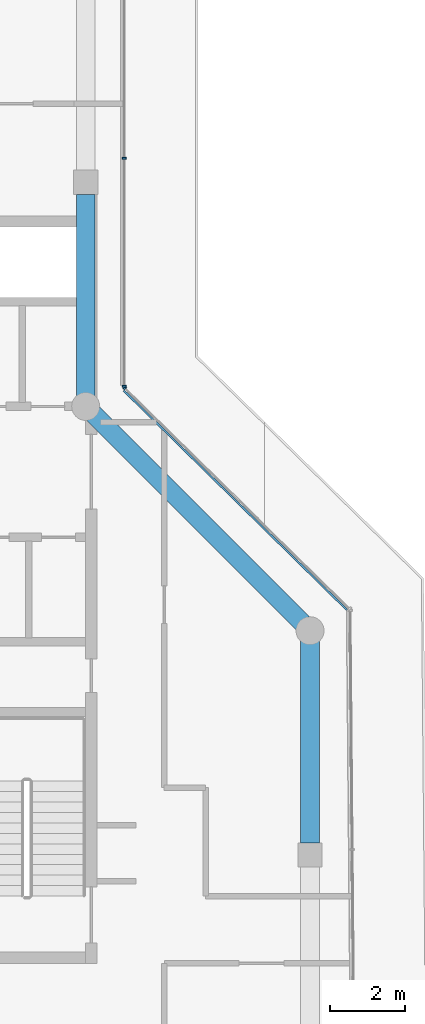
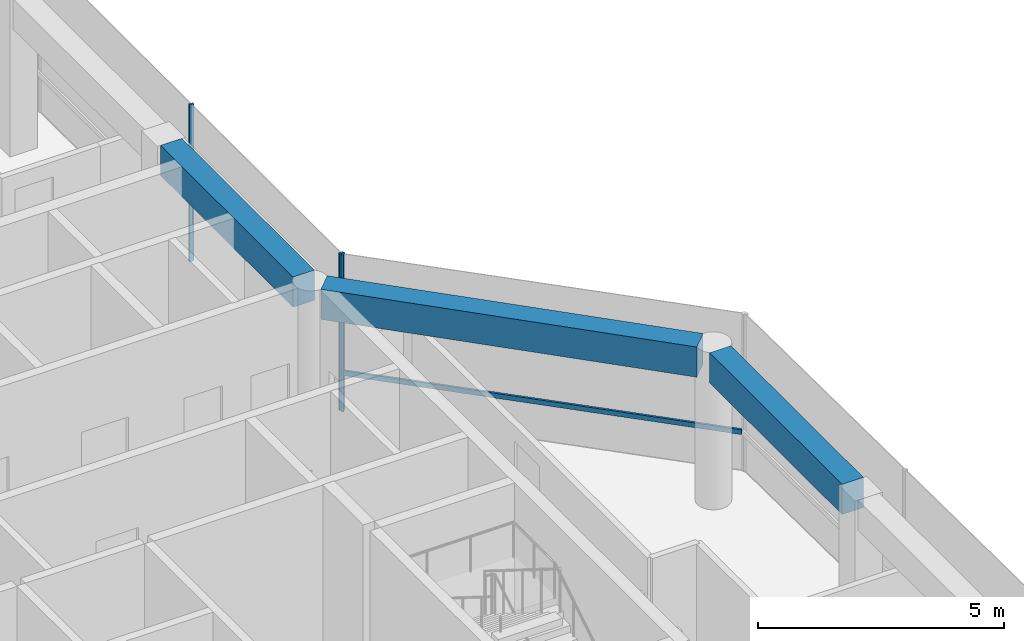
# One storey, part 6 of 21: 4 members, 3 beams, 2 elements without a shape of their own.
"""IFC4 building model written with IfcOpenShell, lengths in metres."""

from ifc_helpers import new_model, si_unit, direction, frame, origin, origin_2d, place, context, subcontext, project, spatial, rectangle, extrude, material, layer, layer_set, material_profile, profile_set, type_object, element, aggregate, save


model = new_model("IFC4")

# Units and contexts
model_context = context("Model", 3, precision=1e-05, world=origin(), true_north=direction((0.0, 1.0)))
body_context = subcontext(model_context, "Body", "Model", "MODEL_VIEW")
ifc_project = project(units=[si_unit("LENGTHUNIT", "METRE"), si_unit("AREAUNIT", "SQUARE_METRE"), si_unit("VOLUMEUNIT", "CUBIC_METRE"), si_unit("PLANEANGLEUNIT", "RADIAN"), si_unit("MASSUNIT", "GRAM", prefix="KILO")], contexts=[model_context])

# Site, building, storey
site_placement = place(None, origin())
site = spatial("IfcSite", under=ifc_project, at=site_placement, CompositionType="ELEMENT")
building_placement = place(site_placement, origin())
building = spatial("IfcBuilding", under=site, at=building_placement, Name="Welwitschia Terrace Campus", CompositionType="ELEMENT")
storey_placement = place(building_placement, frame((0.0, 0.0, 331.39990234375)))
storey = spatial("IfcBuildingStorey", under=building, at=storey_placement, Name="L74", CompositionType="ELEMENT", Elevation=331.39990234375)

# Curtain wall, member
ifc_material_1 = material(Name="Bronze anodised aluminium", Category="aluminium")
ifc_layer = layer(ifc_material_1, 0.10009765625)
ifc_layer_set = layer_set([ifc_layer], Name="Bronze anodised aluminium")
curtain_wall_type = type_object("IfcCurtainWallType", Name="Curtain wall CW5 crown 6000", PredefinedType="NOTDEFINED", material=ifc_layer_set)
curtain_wall_1_placement = place(storey_placement, origin())
curtain_wall_1 = element("IfcCurtainWall", 1, at=curtain_wall_1_placement, inside=storey, type_object=curtain_wall_type, Name="CW L74.6.0", PredefinedType="NOTDEFINED")
ifc_material_2 = material(Name="Bronze anodised aluminium", Category="aluminium")
ifc_material_profile_1 = material_profile(ifc_material_2, rectangle(XDim=0.10009765625, YDim=0.050048828125, at=origin_2d()))
ifc_profile_set_1 = profile_set([ifc_material_profile_1], Name="Bronze anodised aluminium")
member_type_1 = type_object("IfcMemberType", Name="Mullion 50x100", PredefinedType="MULLION", material=ifc_profile_set_1)
member_1_placement = place(storey_placement, frame((25.0478515625, 20.498046875, 0.0), z_axis=(0.0, 0.0, 1.0), x_axis=(-0.7009092643, -0.713250449154, 0.0)))
member_1 = element("IfcMember", 2, at=member_1_placement, type_object=member_type_1, Name="Mullion L74.6.0.1", PredefinedType="MULLION", context=body_context, shape_type="SweptSolid", body=[
    extrude(rectangle(XDim=0.10009765625, YDim=0.050048828125, at=origin_2d()), origin(), (0.0, 0.0, 1.0), 3.900146484375),
])

# Curtain wall, members
curtain_wall_2_placement = place(storey_placement, origin())
curtain_wall_2 = element("IfcCurtainWall", 3, at=curtain_wall_2_placement, inside=storey, type_object=curtain_wall_type, Name="CW L74.7.0", PredefinedType="NOTDEFINED")
member_2_placement = place(storey_placement, frame((25.030029296875, 20.54052734375, 0.0), z_axis=(0.0, 0.0, 1.0), x_axis=(-1.0, 0.0, 0.0)))
member_2 = element("IfcMember", 4, at=member_2_placement, type_object=member_type_1, Name="Mullion L74.7.0.0", PredefinedType="MULLION", context=body_context, shape_type="SweptSolid", body=[
    extrude(rectangle(XDim=0.10009765625, YDim=0.050048828125, at=origin_2d()), origin(), (0.0, 0.0, 1.0), 3.900146484375),
])
member_3_placement = place(storey_placement, frame((25.030029296875, 26.644287109375, 0.0), z_axis=(0.0, 0.0, 1.0), x_axis=(-1.0, 0.0, 0.0)))
member_3 = element("IfcMember", 5, at=member_3_placement, type_object=member_type_1, Name="Mullion L74.7.0.1", PredefinedType="MULLION", context=body_context, shape_type="SweptSolid", body=[
    extrude(rectangle(XDim=0.10009765625, YDim=0.050048828125, at=origin_2d()), origin(), (0.0, 0.0, 1.0), 3.900146484375),
])
aggregate(curtain_wall_2, [member_2, member_3])

# Beams
ifc_material_3 = material(Name="Concrete C40/50", Category="concrete")
ifc_material_profile_2 = material_profile(ifc_material_3, rectangle(XDim=0.5, YDim=0.75, at=origin_2d()))
ifc_profile_set_2 = profile_set([ifc_material_profile_2], Name="Concrete C40/50")
beam_type = type_object("IfcBeamType", Name="Ring spandrel 500x750", PredefinedType="SPANDREL", material=ifc_profile_set_2)
beam_1_placement = place(storey_placement, frame((30.0, 8.325439453125, 3.525146484375), z_axis=(0.0, 1.0, 0.0), x_axis=(-1.0, 0.0, 0.0)))
element("IfcBeam", 6, at=beam_1_placement, inside=storey, type_object=beam_type, Name="Spandrel SP5", PredefinedType="SPANDREL", context=body_context, shape_type="SweptSolid", body=[
    extrude(rectangle(XDim=0.5, YDim=0.75, at=origin_2d()), origin(), (0.0, 0.0, 1.0), 5.39404296875),
])
beam_2_placement = place(storey_placement, frame((29.8017578125, 14.1982421875, 3.525146484375), z_axis=(-0.707106781187, 0.707106781187, 0.0), x_axis=(-0.707106781187, -0.707106781187, 0.0)))
element("IfcBeam", 7, at=beam_2_placement, inside=storey, type_object=beam_type, Name="Spandrel SP5", PredefinedType="SPANDREL", context=body_context, shape_type="SweptSolid", body=[
    extrude(rectangle(XDim=0.5, YDim=0.75, at=origin_2d()), origin(), (0.0, 0.0, 1.0), 7.924560546875),
])
beam_3_placement = place(storey_placement, frame((24.0, 20.280517578125, 3.525146484375), z_axis=(0.0, 1.0, 0.0), x_axis=(-1.0, 0.0, 0.0)))
element("IfcBeam", 8, at=beam_3_placement, inside=storey, type_object=beam_type, Name="Spandrel SP5", PredefinedType="SPANDREL", context=body_context, shape_type="SweptSolid", body=[
    extrude(rectangle(XDim=0.5, YDim=0.75, at=origin_2d()), origin(), (0.0, 0.0, 1.0), 5.39404296875),
])

# Member
ifc_material_4 = material(Name="Bronze anodised aluminium", Category="aluminium")
ifc_material_profile_3 = material_profile(ifc_material_4, rectangle(XDim=0.050048828125, YDim=0.1201171875, at=origin_2d()))
ifc_profile_set_3 = profile_set([ifc_material_profile_3], Name="Bronze anodised aluminium")
member_type_2 = type_object("IfcMemberType", Name="Transom 50x120", PredefinedType="USERDEFINED", material=ifc_profile_set_3)
member_4_placement = place(storey_placement, frame((30.987548828125, 14.555908203125, 1.0), z_axis=(-0.71324439815, 0.700915421793, 0.0), x_axis=(-0.700915421793, -0.71324439815, 0.0)))
member_4 = element("IfcMember", 9, at=member_4_placement, type_object=member_type_2, Name="Transom L74.6.0", ObjectType="TRANSOM", PredefinedType="USERDEFINED", context=body_context, shape_type="SweptSolid", body=[
    extrude(rectangle(XDim=0.050048828125, YDim=0.1201171875, at=origin_2d()), origin(), (0.0, 0.0, 1.0), 8.376220703125),
])

aggregate(curtain_wall_1, [member_1, member_4])

save(model, "model.ifc")
